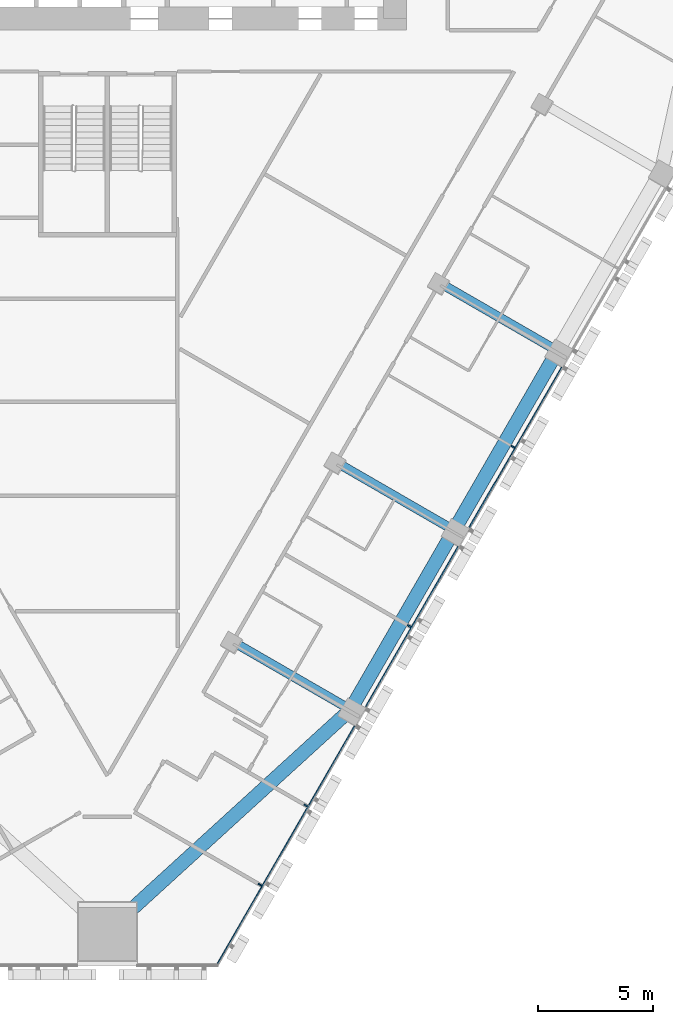
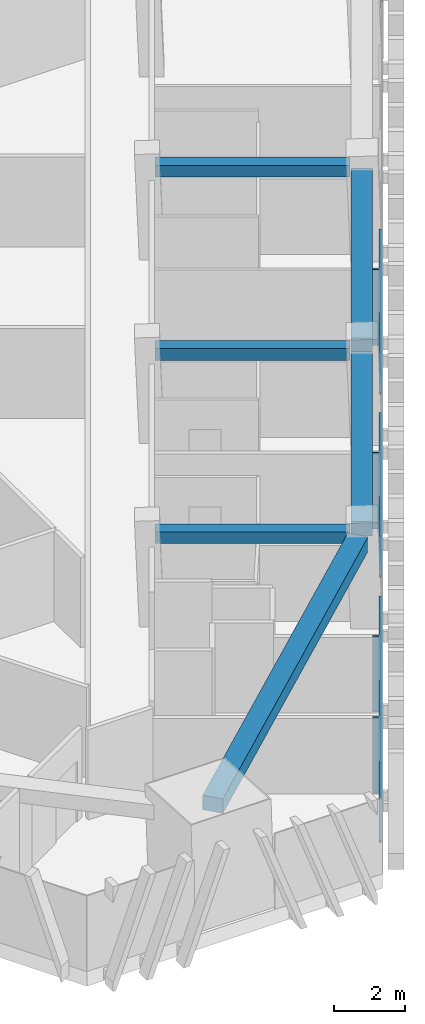
# One storey, part 4 of 18: 7 members, 6 beams, 1 element without a shape of its own.
"""IFC4 building model written with IfcOpenShell, lengths in metres."""

from ifc_helpers import new_model, si_unit, direction, frame, origin, origin_2d, place, context, subcontext, project, spatial, rectangle, extrude, material, layer, layer_set, material_profile, profile_set, type_object, element, aggregate, save


model = new_model("IFC4")

# Units and contexts
model_context = context("Model", 3, precision=1e-05, world=origin(), true_north=direction((0.0, 1.0)))
body_context = subcontext(model_context, "Body", "Model", "MODEL_VIEW")
ifc_project = project(units=[si_unit("LENGTHUNIT", "METRE"), si_unit("AREAUNIT", "SQUARE_METRE"), si_unit("VOLUMEUNIT", "CUBIC_METRE"), si_unit("PLANEANGLEUNIT", "RADIAN"), si_unit("MASSUNIT", "GRAM", prefix="KILO")], contexts=[model_context])

# Site, building, storey
site_placement = place(None, origin())
site = spatial("IfcSite", under=ifc_project, at=site_placement, CompositionType="ELEMENT")
building_placement = place(site_placement, origin())
building = spatial("IfcBuilding", under=site, at=building_placement, Name="Altiplano Prism Tower", CompositionType="ELEMENT")
storey_placement = place(building_placement, frame((0.0, 0.0, 45.0)))
storey = spatial("IfcBuildingStorey", under=building, at=storey_placement, Name="L10", CompositionType="ELEMENT", Elevation=45.0)

# Curtain wall, members
ifc_material_1 = material(Name="Aluminium and glass", Category="aluminium")
ifc_layer = layer(ifc_material_1, 0.280029296875)
ifc_layer_set = layer_set([ifc_layer], Name="Aluminium and glass")
curtain_wall_type = type_object("IfcCurtainWallType", Name="CW1 typical co-living unitised curtain wall", PredefinedType="NOTDEFINED", material=ifc_layer_set)
curtain_wall_placement = place(storey_placement, origin())
curtain_wall = element("IfcCurtainWall", 1, at=curtain_wall_placement, inside=storey, type_object=curtain_wall_type, Name="CW1 curtain wall south-east face L10", PredefinedType="NOTDEFINED")
ifc_material_2 = material(Name="Aluminium", Category="aluminium")
ifc_material_profile_1 = material_profile(ifc_material_2, rectangle(XDim=0.179931640625, YDim=0.06494140625, at=origin_2d()), Name="CW1 mullion 65 x 180")
ifc_profile_set_1 = profile_set([ifc_material_profile_1], Name="Aluminium")
member_type_1 = type_object("IfcMemberType", Name="CW1 mullion 65 x 180", PredefinedType="MULLION", material=ifc_profile_set_1)
member_1_placement = place(storey_placement, frame((91.632568359375, 55.25341796875, 0.0), z_axis=(0.0, 0.0, 1.0), x_axis=(-0.86602540265, 0.500000001965, 0.0)))
member_1 = element("IfcMember", 2, at=member_1_placement, type_object=member_type_1, Name="CW1 mullion", PredefinedType="MULLION", context=body_context, shape_type="SweptSolid", body=[
    extrude(rectangle(XDim=0.179931640625, YDim=0.06494140625, at=origin_2d()), origin(), (0.0, 0.0, 1.0), 2.60009765625),
])
member_2_placement = place(storey_placement, frame((93.6220703125, 58.69921875, 0.0), z_axis=(0.0, 0.0, 1.0), x_axis=(-0.86602540265, 0.500000001965, 0.0)))
member_2 = element("IfcMember", 3, at=member_2_placement, type_object=member_type_1, Name="CW1 mullion", PredefinedType="MULLION", context=body_context, shape_type="SweptSolid", body=[
    extrude(rectangle(XDim=0.179931640625, YDim=0.06494140625, at=origin_2d()), origin(), (0.0, 0.0, 1.0), 2.60009765625),
])
member_3_placement = place(storey_placement, frame((98.1220703125, 66.493408203125, 0.0), z_axis=(0.0, 0.0, 1.0), x_axis=(-0.86602540265, 0.500000001965, 0.0)))
member_3 = element("IfcMember", 4, at=member_3_placement, type_object=member_type_1, Name="CW1 mullion", PredefinedType="MULLION", context=body_context, shape_type="SweptSolid", body=[
    extrude(rectangle(XDim=0.179931640625, YDim=0.06494140625, at=origin_2d()), origin(), (0.0, 0.0, 1.0), 2.60009765625),
])
member_4_placement = place(storey_placement, frame((102.6220703125, 74.287841796875, 0.0), z_axis=(0.0, 0.0, 1.0), x_axis=(-0.86602540265, 0.500000001965, 0.0)))
member_4 = element("IfcMember", 5, at=member_4_placement, type_object=member_type_1, Name="CW1 mullion", PredefinedType="MULLION", context=body_context, shape_type="SweptSolid", body=[
    extrude(rectangle(XDim=0.179931640625, YDim=0.06494140625, at=origin_2d()), origin(), (0.0, 0.0, 1.0), 2.60009765625),
])
ifc_material_profile_2 = material_profile(ifc_material_2, rectangle(XDim=0.06005859375, YDim=0.080078125, at=origin_2d()), Name="CW1 transom 80 x 60")
ifc_profile_set_2 = profile_set([ifc_material_profile_2], Name="Aluminium")
member_type_2 = type_object("IfcMemberType", Name="CW1 transom 80 x 60", PredefinedType="USERDEFINED", material=ifc_profile_set_2)
member_5_placement = place(storey_placement, frame((89.7470703125, 51.747314453125, 1.10009765625), z_axis=(0.499998779806, 0.866026108263, 0.0), x_axis=(-0.866026108263, 0.499998779806, 0.0)))
member_5 = element("IfcMember", 6, at=member_5_placement, type_object=member_type_2, Name="CW1 transom", ObjectType="TRANSOM", PredefinedType="USERDEFINED", context=body_context, shape_type="SweptSolid", body=[
    extrude(rectangle(XDim=0.06005859375, YDim=0.080078125, at=origin_2d()), origin(), (0.0, 0.0, 1.0), 12.00732421875),
])
member_6_placement = place(storey_placement, frame((96.24072265625, 62.994873046875, 1.10009765625), z_axis=(0.499999136801, 0.866025902152, 0.0), x_axis=(-0.866025902152, 0.499999136801, 0.0)))
member_6 = element("IfcMember", 7, at=member_6_placement, type_object=member_type_2, Name="CW1 transom", ObjectType="TRANSOM", PredefinedType="USERDEFINED", context=body_context, shape_type="SweptSolid", body=[
    extrude(rectangle(XDim=0.06005859375, YDim=0.080078125, at=origin_2d()), origin(), (0.0, 0.0, 1.0), 8.02001953125),
])
member_7_placement = place(storey_placement, frame((100.74072265625, 70.7890625, 1.10009765625), z_axis=(0.499999136801, 0.866025902152, 0.0), x_axis=(-0.866025902152, 0.499999136801, 0.0)))
member_7 = element("IfcMember", 8, at=member_7_placement, type_object=member_type_2, Name="CW1 transom", ObjectType="TRANSOM", PredefinedType="USERDEFINED", context=body_context, shape_type="SweptSolid", body=[
    extrude(rectangle(XDim=0.06005859375, YDim=0.080078125, at=origin_2d()), origin(), (0.0, 0.0, 1.0), 8.02001953125),
])
aggregate(curtain_wall, [member_1, member_2, member_5, member_3, member_6, member_4, member_7])

# Beams
ifc_material_3 = material(Name="Concrete C60/75", Category="concrete")
ifc_material_profile_3 = material_profile(ifc_material_3, rectangle(XDim=0.60009765625, YDim=0.5, at=origin_2d()), Name="Edge beam 600x500")
ifc_profile_set_3 = profile_set([ifc_material_profile_3], Name="Concrete C60/75")
beam_type_1 = type_object("IfcBeamType", Name="Edge beam 600x500", PredefinedType="SPANDREL", material=ifc_profile_set_3)
beam_placement = place(storey_placement, frame((85.33251953125, 53.526123046875, 2.85009765625), z_axis=(0.738678836446, 0.67405754694, 0.0), x_axis=(-0.67405754694, 0.738678836446, 0.0)))
element("IfcBeam", 9, at=beam_placement, inside=storey, type_object=beam_type_1, Name="Edge beam M1-P21 L11", PredefinedType="SPANDREL", context=body_context, shape_type="SweptSolid", body=[
    extrude(rectangle(XDim=0.60009765625, YDim=0.5, at=origin_2d()), origin(), (0.0, 0.0, 1.0), 13.502685546875),
])
for number, where, z_axis, x_axis, name in (
    (10, (95.73193359375, 63.150634765625, 2.85009765625), (0.499992746786, 0.866029591389, 0.0), (-0.866029591389, 0.499992746786, 0.0), "Edge beam P21-P22 L11"),
    (11, (100.23193359375, 70.945068359375, 2.85009765625), (0.499992746786, 0.866029591389, 0.0), (-0.866029591389, 0.499992746786, 0.0), "Edge beam P22-P23 L11"),
):
    element("IfcBeam", number, at=place(storey_placement, frame(where, z_axis=z_axis, x_axis=x_axis)), inside=storey, type_object=beam_type_1, Name=name, PredefinedType="SPANDREL", context=body_context, shape_type="SweptSolid", body=[
        extrude(rectangle(XDim=0.60009765625, YDim=0.5, at=origin_2d()), origin(), (0.0, 0.0, 1.0), 8.33984375),
    ])
ifc_material_profile_4 = material_profile(ifc_material_3, rectangle(XDim=0.39990234375, YDim=0.39990234375, at=origin_2d()), Name="Tie beam 400x400")
ifc_profile_set_4 = profile_set([ifc_material_profile_4], Name="Concrete C60/75")
beam_type_2 = type_object("IfcBeamType", Name="Tie beam 400x400", PredefinedType="BEAM", material=ifc_profile_set_4)
for number, where, z_axis, x_axis, name in (
    (12, (90.526611328125, 65.77490234375, 2.89990234375), (0.866031549307, -0.499989355492, 0.0), (0.499989355492, 0.866031549307, 0.0), "Tie beam I21 L11"),
    (13, (95.026611328125, 73.569091796875, 2.89990234375), (0.866031549307, -0.499989355492, 0.0), (0.499989355492, 0.866031549307, 0.0), "Tie beam I22 L11"),
    (14, (99.526611328125, 81.36328125, 2.89990234375), (0.866031549307, -0.499989355492, 0.0), (0.499989355492, 0.866031549307, 0.0), "Tie beam I23 L11"),
):
    element("IfcBeam", number, at=place(storey_placement, frame(where, z_axis=z_axis, x_axis=x_axis)), inside=storey, type_object=beam_type_2, Name=name, PredefinedType="BEAM", context=body_context, shape_type="SweptSolid", body=[
        extrude(rectangle(XDim=0.39990234375, YDim=0.39990234375, at=origin_2d()), origin(), (0.0, 0.0, 1.0), 5.48974609375),
    ])

save(model, "model.ifc")
